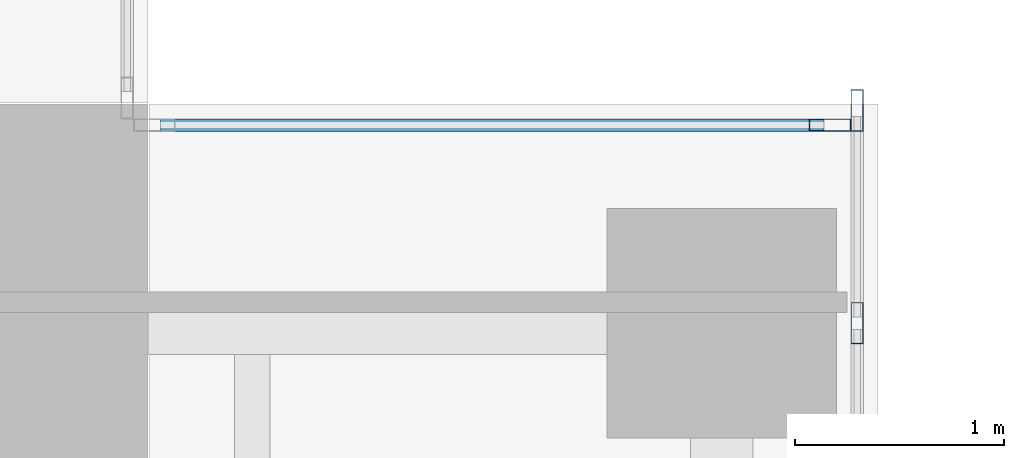
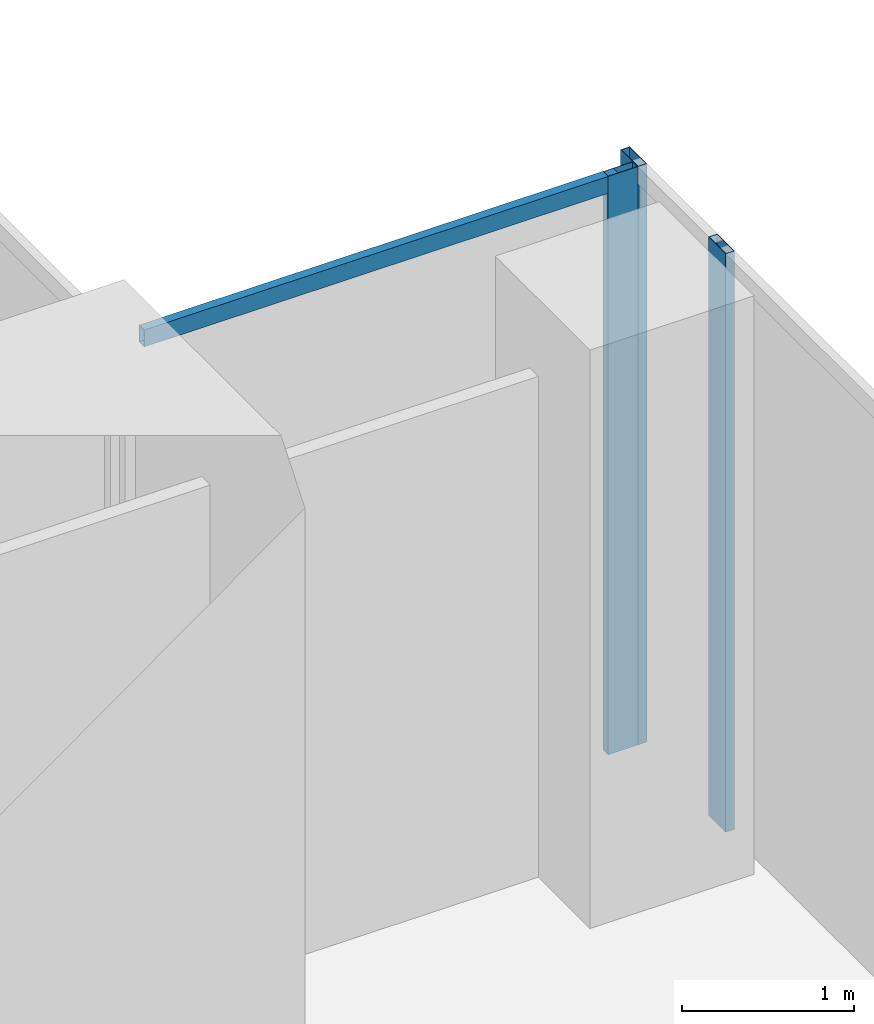
# One storey, part 21 of 35: 4 members, 2 elements without a shape of their own.
"""IFC4 building model written with IfcOpenShell, lengths in metres."""

from ifc_helpers import new_model, si_unit, direction, frame, origin, origin_2d, place, context, subcontext, project, spatial, hollow_rectangle, extrude, source, transform, mapped, material, material_profile, profile_set, type_object, element, aggregate, save


model = new_model("IFC4")

# Units and contexts
model_context = context("Model", 3, precision=1e-05, world=origin(), true_north=direction((0.0, 1.0)))
body_context = subcontext(model_context, "Body", "Model", "MODEL_VIEW")
ifc_project = project(units=[si_unit("LENGTHUNIT", "METRE"), si_unit("AREAUNIT", "SQUARE_METRE"), si_unit("VOLUMEUNIT", "CUBIC_METRE"), si_unit("PLANEANGLEUNIT", "RADIAN"), si_unit("MASSUNIT", "GRAM", prefix="KILO")], contexts=[model_context])

# Site, building, storey
site_placement = place(None, origin())
site = spatial("IfcSite", under=ifc_project, at=site_placement, CompositionType="ELEMENT")
building_placement = place(site_placement, origin())
building = spatial("IfcBuilding", under=site, at=building_placement, Name="Khomas Fold Tower", CompositionType="ELEMENT")
storey_placement = place(building_placement, frame((0.0, 0.0, 136.699951171875)))
storey = spatial("IfcBuildingStorey", under=building, at=storey_placement, Name="L29", CompositionType="ELEMENT", Elevation=136.699951171875)

# Curtain wall, members
ifc_material_1 = material(Name="Aluminium framed double glazing", Category="aluminium")
curtain_wall_type = type_object("IfcCurtainWallType", Name="SK-Unitised clear-glass wall, growing floors CW1", PredefinedType="NOTDEFINED", material=ifc_material_1)
curtain_wall_1_placement = place(storey_placement, origin())
curtain_wall_1 = element("IfcCurtainWall", 1, at=curtain_wall_1_placement, inside=storey, type_object=curtain_wall_type, Name="CW1 run L29 03-1", PredefinedType="NOTDEFINED")
ifc_material_2 = material(Name="Aluminium", Category="aluminium")
ifc_material_profile_1 = material_profile(ifc_material_2, hollow_rectangle(XDim=0.06005859375, YDim=0.199951171875, WallThickness=0.00390625, at=origin_2d()), Name="SK-Unitised clear-glass wall, growing floors mullion CW1-M")
ifc_profile_set_1 = profile_set([ifc_material_profile_1], Name="Aluminium")
member_type_1 = type_object("IfcMemberType", Name="SK-Unitised clear-glass wall, growing floors mullion CW1-M", PredefinedType="MULLION", material=ifc_profile_set_1)
shared_shape_1 = source(origin(), body_context, "Body", "SweptSolid", [
    extrude(hollow_rectangle(XDim=0.06005859375, YDim=0.199951171875, WallThickness=0.00390625, at=origin_2d()), origin(), (0.0, 0.0, 1.0), 4.10009765625),
])
member_1_placement = place(storey_placement, frame((52.39990234375, 47.949951171875, 0.0), z_axis=(0.0, 0.0, 1.0), x_axis=(-1.0, 0.0, 0.0)))
member_1 = element("IfcMember", 2, at=member_1_placement, type_object=member_type_1, Name="CW1 mullion 3", PredefinedType="MULLION", context=body_context, shape_type="MappedRepresentation", body=[
    mapped(shared_shape_1, transform((0.0, 0.0, 0.0))),
])
member_2_placement = place(storey_placement, frame((52.39990234375, 48.969970703125, 0.0), z_axis=(0.0, 0.0, 1.0), x_axis=(-1.0, 0.0, 0.0)))
member_2 = element("IfcMember", 3, at=member_2_placement, type_object=member_type_1, Name="CW1 mullion 4", PredefinedType="MULLION", context=body_context, shape_type="MappedRepresentation", body=[
    mapped(shared_shape_1, transform((0.0, 0.0, 0.0))),
])
aggregate(curtain_wall_1, [member_1, member_2])

curtain_wall_2_placement = place(storey_placement, origin())
curtain_wall_2 = element("IfcCurtainWall", 4, at=curtain_wall_2_placement, inside=storey, type_object=curtain_wall_type, Name="CW1 corner return L29 04", PredefinedType="NOTDEFINED")
member_3_placement = place(storey_placement, frame((52.27001953125, 48.89990234375, 0.0), z_axis=(0.0, 0.0, 1.0), x_axis=(0.0, -1.0, 0.0)))
member_3 = element("IfcMember", 5, at=member_3_placement, type_object=member_type_1, Name="CW1 mullion 1", PredefinedType="MULLION", context=body_context, shape_type="MappedRepresentation", body=[
    mapped(shared_shape_1, transform((0.0, 0.0, 0.0))),
])
ifc_material_3 = material(Name="Aluminium", Category="aluminium")
ifc_material_profile_2 = material_profile(ifc_material_3, hollow_rectangle(XDim=0.06005859375, YDim=0.1201171875, WallThickness=0.00390625, at=origin_2d()), Name="SK-Unitised clear-glass wall, growing floors transom CW1-T")
ifc_profile_set_2 = profile_set([ifc_material_profile_2], Name="Aluminium")
member_type_2 = type_object("IfcMemberType", Name="SK-Unitised clear-glass wall, growing floors transom CW1-T", PredefinedType="USERDEFINED", material=ifc_profile_set_2)
shared_shape_2 = source(origin(), body_context, "Body", "SweptSolid", [
    extrude(hollow_rectangle(XDim=0.06005859375, YDim=0.1201171875, WallThickness=0.00390625, at=origin_2d()), origin(), (0.0, 0.0, 1.0), 3.179931640625),
])
member_4_placement = place(storey_placement, frame((52.239990234375, 48.89990234375, 4.0400390625), z_axis=(-1.0, 0.0, 0.0), x_axis=(0.0, -1.0, 0.0)))
member_4 = element("IfcMember", 6, at=member_4_placement, type_object=member_type_2, Name="CW1 transom 1", ObjectType="TRANSOM", PredefinedType="USERDEFINED", context=body_context, shape_type="MappedRepresentation", body=[
    mapped(shared_shape_2, transform((0.0, 0.0, 0.0))),
])
aggregate(curtain_wall_2, [member_3, member_4])

save(model, "model.ifc")
